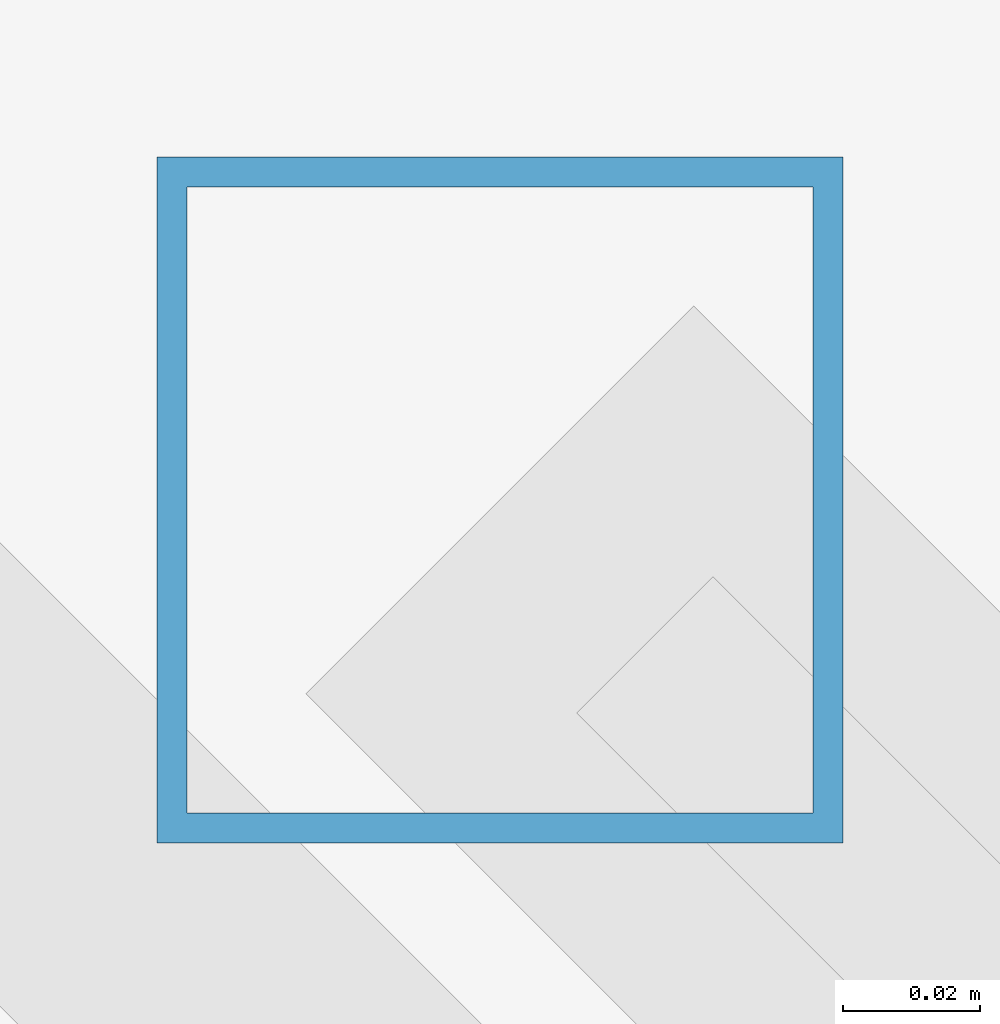
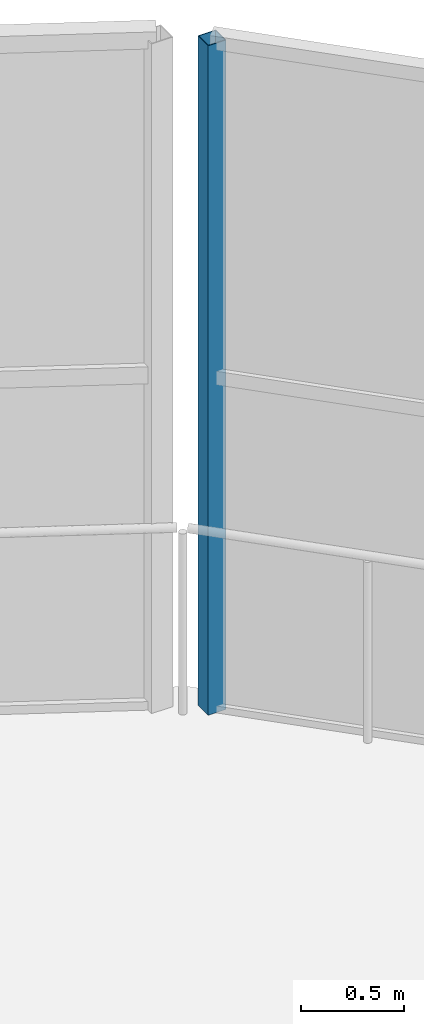
# One storey, part 105 of 151: 1 member, 1 element without a shape of its own.
"""IFC4 building model written with IfcOpenShell, lengths in metres."""

from ifc_helpers import new_model, si_unit, direction, frame, origin, origin_2d, place, context, subcontext, project, spatial, hollow_rectangle, extrude, material, material_profile, profile_set, type_object, element, aggregate, save


model = new_model("IFC4")

# Units and contexts
model_context = context("Model", 3, precision=1e-05, world=origin(), true_north=direction((0.0, 1.0)))
body_context = subcontext(model_context, "Body", "Model", "MODEL_VIEW")
ifc_project = project(units=[si_unit("LENGTHUNIT", "METRE"), si_unit("AREAUNIT", "SQUARE_METRE"), si_unit("VOLUMEUNIT", "CUBIC_METRE"), si_unit("PLANEANGLEUNIT", "RADIAN"), si_unit("MASSUNIT", "GRAM", prefix="KILO")], contexts=[model_context])

# Site, building, storey
site_placement = place(None, origin())
site = spatial("IfcSite", under=ifc_project, at=site_placement, CompositionType="ELEMENT")
building_placement = place(site_placement, origin())
building = spatial("IfcBuilding", under=site, at=building_placement, Name="Zuvorla Pavilion Media Centre", CompositionType="ELEMENT")
storey_placement = place(building_placement, frame((0.0, 0.0, 13.800048828125)))
storey = spatial("IfcBuildingStorey", under=building, at=storey_placement, Name="L03", CompositionType="ELEMENT", Elevation=13.800048828125)

# Curtain wall, member
ifc_material_1 = material(Name="Unitised anodised aluminium and solar glass curtain wall", Category="aluminium")
curtain_wall_type = type_object("IfcCurtainWallType", Name="CW-SYS-04", PredefinedType="USERDEFINED", material=ifc_material_1)
curtain_wall_placement = place(storey_placement, origin())
curtain_wall = element("IfcCurtainWall", 1, at=curtain_wall_placement, inside=storey, type_object=curtain_wall_type, Name="L03 curtain wall CW04 103", ObjectType="CURTAIN WALL", PredefinedType="USERDEFINED")
ifc_material_2 = material(Name="Anodised aluminium 6063-T6", Category="aluminium")
ifc_material_profile = material_profile(ifc_material_2, hollow_rectangle(XDim=0.10009765625, YDim=0.10009765625, WallThickness=0.00439453125, at=origin_2d()), Name="ALU MULL 100x100")
ifc_profile_set = profile_set([ifc_material_profile], Name="Anodised aluminium 6063-T6")
member_type = type_object("IfcMemberType", Name="CW-MULL-100", PredefinedType="MULLION", material=ifc_profile_set)
member_placement = place(storey_placement, frame((167.994140625, 85.9501953125, 0.0), z_axis=(0.0, 0.0, 1.0), x_axis=(1.0, 0.0, 0.0)))
member = element("IfcMember", 2, at=member_placement, type_object=member_type, Name="CW04 mullion 3", PredefinedType="MULLION", context=body_context, shape_type="SweptSolid", body=[
    extrude(hollow_rectangle(XDim=0.10009765625, YDim=0.10009765625, WallThickness=0.00439453125, at=origin_2d()), origin(), (0.0, 0.0, 1.0), 3.9599609375),
])
aggregate(curtain_wall, [member])

save(model, "model.ifc")
